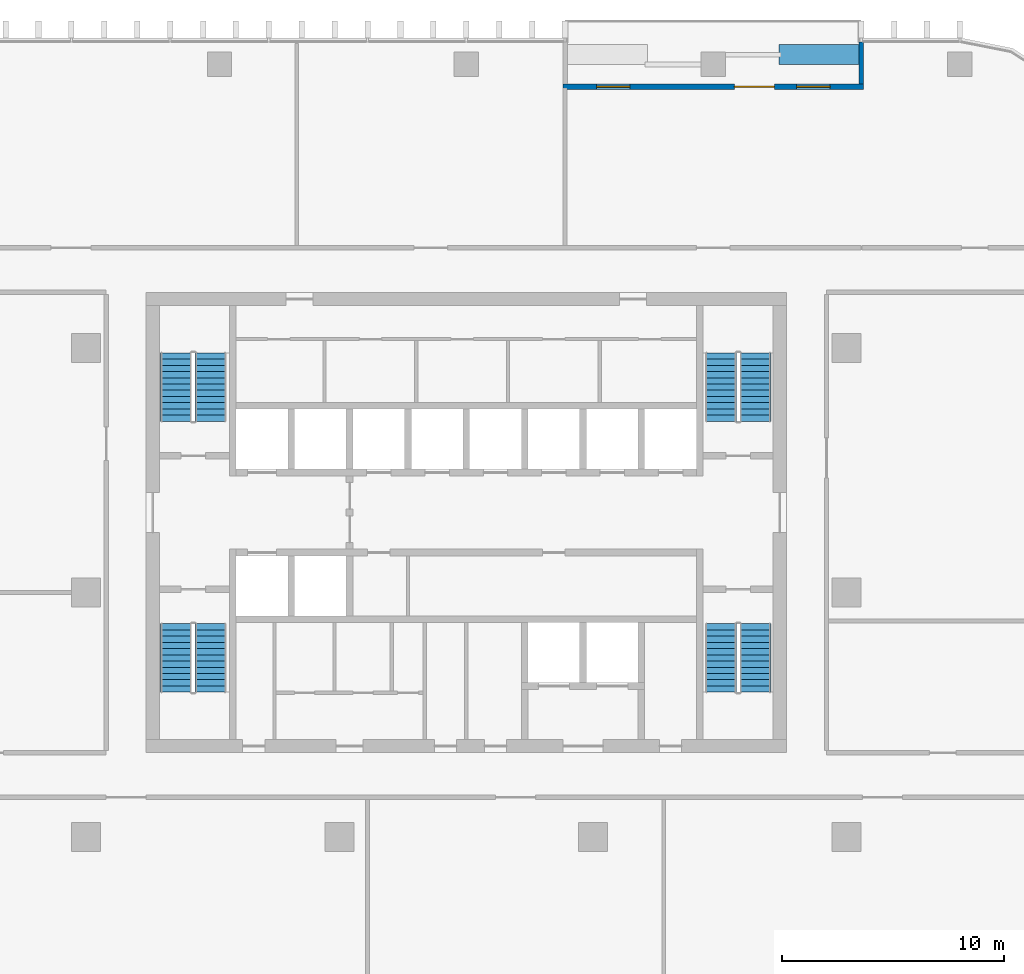
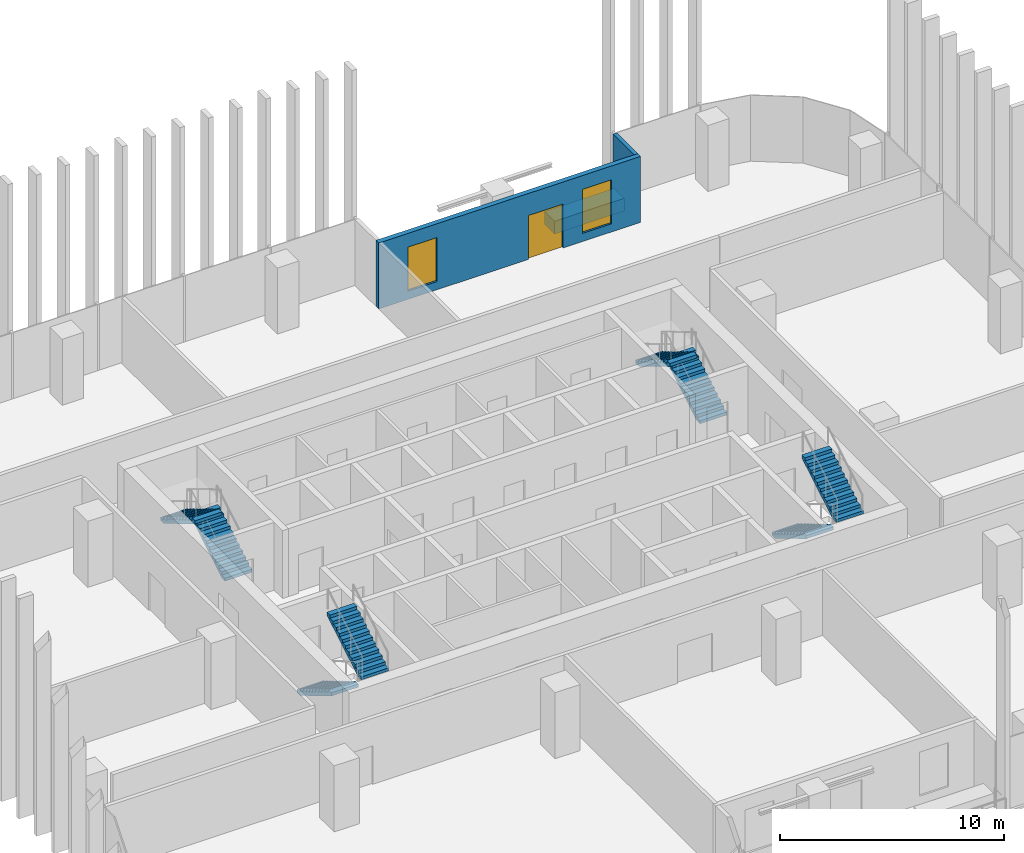
# One storey, part 10 of 16: 8 stair flights, 3 walls, 2 windows, 1 door, 3 openings, 4 elements without a shape of their own.
"""IFC4 building model written with IfcOpenShell, lengths in metres."""

from ifc_helpers import new_model, si_unit, direction, frame, frame_2d, origin, place, context, subcontext, project, spatial, polyline, rectangle, outline, extrude, material, layer, layer_set, type_object, element, fill, aggregate, save


model = new_model("IFC4")

# Units and contexts
model_context = context("Model", 3, precision=1e-05, world=origin(), true_north=direction((0.0, 1.0)))
body_context = subcontext(model_context, "Body", "Model", "MODEL_VIEW")
ifc_project = project(units=[si_unit("LENGTHUNIT", "METRE"), si_unit("AREAUNIT", "SQUARE_METRE"), si_unit("VOLUMEUNIT", "CUBIC_METRE"), si_unit("PLANEANGLEUNIT", "RADIAN"), si_unit("MASSUNIT", "GRAM", prefix="KILO")], contexts=[model_context])

# Site, building, storey
site_placement = place(None, origin())
site = spatial("IfcSite", under=ifc_project, at=site_placement, CompositionType="ELEMENT")
building_placement = place(site_placement, origin())
building = spatial("IfcBuilding", under=site, at=building_placement, Name="Mopane Tessera Tower", CompositionType="ELEMENT")
storey_placement = place(building_placement, frame((0.0, 0.0, 235.0)))
storey = spatial("IfcBuildingStorey", under=building, at=storey_placement, Name="L50", CompositionType="ELEMENT", Elevation=235.0)

# Walls
ifc_material_1 = material(Name="Reinforced concrete C32/40 with waterproofing", Category="concrete")
ifc_layer_1 = layer(ifc_material_1, 0.89990234375)
ifc_layer_set_1 = layer_set([ifc_layer_1], Name="Reinforced concrete C32/40 with waterproofing")
wall_type_1 = type_object("IfcWallType", Name="Planter trough 3600 x 900", PredefinedType="STANDARD", material=ifc_layer_set_1)
wall_1_placement = place(storey_placement, frame((17.659912109375, 24.199951171875, 0.0), z_axis=(0.0, 0.0, 1.0), x_axis=(-1.0, 0.0, 0.0)))
element("IfcWall", 1, at=wall_1_placement, inside=storey, type_object=wall_type_1, Name="e:nw:L50:N2:pl0", PredefinedType="STANDARD", context=body_context, shape_type="SweptSolid", body=[
    extrude(rectangle(XDim=3.599853515625, YDim=0.89990234375, at=frame_2d((1.7998046875, 0.0))), origin(), (0.0, 0.0, 1.0), 0.699951171875),
])
ifc_material_2 = material(Name="Blockwork with glazed tile facing", Category="masonry")
ifc_layer_2 = layer(ifc_material_2, 0.199951171875)
ifc_layer_set_2 = layer_set([ifc_layer_2], Name="Blockwork with glazed tile facing")
wall_type_2 = type_object("IfcWallType", Name="Terrace cheek wall 200", PredefinedType="STANDARD", material=ifc_layer_set_2)
wall_2_placement = place(storey_placement, frame((17.760009765625, 24.75, 0.0), z_axis=(0.0, 0.0, 1.0), x_axis=(0.0, -1.0, 0.0)))
element("IfcWall", 2, at=wall_2_placement, inside=storey, type_object=wall_type_2, Name="e:nw:L50:N2:cheeka", PredefinedType="STANDARD", context=body_context, shape_type="SweptSolid", body=[
    extrude(rectangle(XDim=1.875, YDim=0.199951171875, at=frame_2d((0.9375, 0.0))), origin(), (0.0, 0.0, 1.0), 3.60009765625),
])

# Wall, openings, windows, door
ifc_material_3 = material(Name="Blockwork with ochre glazed tile facing", Category="masonry")
ifc_layer_3 = layer(ifc_material_3, 0.25)
ifc_layer_set_3 = layer_set([ifc_layer_3], Name="Blockwork with ochre glazed tile facing")
wall_type_3 = type_object("IfcWallType", Name="Tile-clad external wall 250, ochre", PredefinedType="STANDARD", material=ifc_layer_set_3)
wall_3_placement = place(storey_placement, frame((17.860107421875, 22.75, 0.0), z_axis=(0.0, 0.0, 1.0), x_axis=(-1.0, 0.0, 0.0)))
wall_3 = element("IfcWall", 3, at=wall_3_placement, inside=storey, type_object=wall_type_3, Name="e:nw:L50:N2:back", PredefinedType="STANDARD", context=body_context, shape_type="SweptSolid", body=[
    extrude(rectangle(XDim=13.52001953125, YDim=0.25, at=frame_2d((6.760009765625, 0.0))), origin(), (0.0, 0.0, 1.0), 3.60009765625),
])
opening_1_placement = place(wall_3_placement, frame((1.5, 0.0, 0.449951171875)))
opening_1 = element("IfcOpeningElement", 4, at=opening_1_placement, cuts=wall_3, Name="Opening NW502A", PredefinedType="OPENING", context=body_context, shape_type="SweptSolid", body=[
    extrude(rectangle(XDim=1.5, YDim=2.39990234375, at=frame_2d((0.75, 1.199951171875))), frame((0.0, 0.136962890625, 0.0), z_axis=(0.0, -1.0, 0.0), x_axis=(1.0, 0.0, 0.0)), (0.0, 0.0, 1.0), 0.27392578125),
])
opening_2_placement = place(wall_3_placement, frame((4.0, 0.0, 0.0)))
opening_2 = element("IfcOpeningElement", 5, at=opening_2_placement, cuts=wall_3, Name="Opening ND502", PredefinedType="OPENING", context=body_context, shape_type="SweptSolid", body=[
    extrude(rectangle(XDim=1.800048828125, YDim=2.39990234375, at=frame_2d((0.89990234375, 1.199951171875))), frame((0.0, 0.136962890625, 0.0), z_axis=(0.0, -1.0, 0.0), x_axis=(1.0, 0.0, 0.0)), (0.0, 0.0, 1.0), 0.27392578125),
])
opening_3_placement = place(wall_3_placement, frame((10.5, 0.0, 0.449951171875)))
opening_3 = element("IfcOpeningElement", 6, at=opening_3_placement, cuts=wall_3, Name="Opening NW502B", PredefinedType="OPENING", context=body_context, shape_type="SweptSolid", body=[
    extrude(rectangle(XDim=1.5, YDim=2.39990234375, at=frame_2d((0.75, 1.199951171875))), frame((0.0, 0.136962890625, 0.0), z_axis=(0.0, -1.0, 0.0), x_axis=(1.0, 0.0, 0.0)), (0.0, 0.0, 1.0), 0.27392578125),
])
ifc_material_4 = material(Name="Clear laminated glass", Category="glass")
window_type = type_object("IfcWindowType", Name="Fixed window 1500 x 2400", PartitioningType="SINGLE_PANEL", PredefinedType="WINDOW", material=ifc_material_4)
window_1_placement = place(opening_1_placement, origin())
window_1 = element("IfcWindow", 7, at=window_1_placement, inside=storey, type_object=window_type, Name="e:nw:L50:N2:win0", OverallHeight=2.39990234375, OverallWidth=1.5, PartitioningType="SINGLE_PANEL", PredefinedType="WINDOW", context=body_context, shape_type="SweptSolid", body=[
    extrude(rectangle(XDim=1.5, YDim=2.39990234375, at=frame_2d((0.75, 1.199951171875))), frame((0.0, 0.030029296875, 0.0), z_axis=(0.0, -1.0, 0.0), x_axis=(1.0, 0.0, 0.0)), (0.0, 0.0, 1.0), 0.06005859375),
])
fill(opening_1, window_1)
window_2_placement = place(opening_3_placement, origin())
window_2 = element("IfcWindow", 8, at=window_2_placement, inside=storey, type_object=window_type, Name="e:nw:L50:N2:win2", OverallHeight=2.39990234375, OverallWidth=1.5, PartitioningType="SINGLE_PANEL", PredefinedType="WINDOW", context=body_context, shape_type="SweptSolid", body=[
    extrude(rectangle(XDim=1.5, YDim=2.39990234375, at=frame_2d((0.75, 1.199951171875))), frame((0.0, 0.030029296875, 0.0), z_axis=(0.0, -1.0, 0.0), x_axis=(1.0, 0.0, 0.0)), (0.0, 0.0, 1.0), 0.06005859375),
])
fill(opening_3, window_2)
ifc_material_5 = material(Name="Aluminium and clear glass", Category="aluminium")
door_type = type_object("IfcDoorType", Name="Terrace double door 1800 x 2400", OperationType="DOUBLE_DOOR_SINGLE_SWING", PredefinedType="DOOR", material=ifc_material_5)
door_placement = place(opening_2_placement, origin())
door = element("IfcDoor", 9, at=door_placement, inside=storey, type_object=door_type, Name="e:nw:L50:N2:door", ObjectType="D1", OperationType="DOUBLE_DOOR_SINGLE_SWING", OverallHeight=2.39990234375, OverallWidth=1.800048828125, PredefinedType="DOOR", context=body_context, shape_type="SweptSolid", body=[
    extrude(rectangle(XDim=1.800048828125, YDim=2.39990234375, at=frame_2d((0.89990234375, 1.199951171875))), frame((0.0, 0.02490234375, 0.0), z_axis=(0.0, -1.0, 0.0), x_axis=(1.0, 0.0, 0.0)), (0.0, 0.0, 1.0), 0.050048828125),
])
fill(opening_2, door)

# Stair, stair flights
ifc_material_6 = material(Name="Concrete C50/60", Category="concrete")
stair_type = type_object("IfcStairType", Name="Escape stair 1400 mm, riser 167 mm", PredefinedType="HALF_TURN_STAIR", material=ifc_material_6)
stair_1_placement = place(storey_placement, origin())
stair_1 = element("IfcStair", 10, at=stair_1_placement, inside=storey, type_object=stair_type, Name="L50 Escape stair south-west", PredefinedType="HALF_TURN_STAIR")
ifc_material_7 = material(Name="Concrete C50/60", Category="concrete")
stair_flight_type = type_object("IfcStairFlightType", Name="Escape stair flight 1400 mm", PredefinedType="STRAIGHT", material=ifc_material_7)
stair_flight_1_placement = place(storey_placement, frame((-13.050048828125, -1.39990234375, 0.0), z_axis=(0.0, 0.0, 1.0), x_axis=(0.0, -1.0, 0.0)))
stair_flight_1 = element("IfcStairFlight", 11, at=stair_flight_1_placement, type_object=stair_flight_type, Name="ST1 flight 1", NumberOfRisers=12, NumberOfTreads=11, PredefinedType="STRAIGHT", RiserHeight=0.166666667, TreadLength=0.28, context=body_context, shape_type="SweptSolid", body=[
    extrude(outline(polyline([(0.0, 0.0), (0.0, 0.166748046875), (0.280029296875, 0.166748046875), (0.280029296875, 0.333251953125), (0.56005859375, 0.333251953125), (0.56005859375, 0.5), (0.840087890625, 0.5), (0.840087890625, 0.666748046875), (1.1201171875, 0.666748046875), (1.1201171875, 0.833251953125), (1.39990234375, 0.833251953125), (1.39990234375, 1.0), (1.679931640625, 1.0), (1.679931640625, 1.166748046875), (1.9599609375, 1.166748046875), (1.9599609375, 1.333251953125), (2.239990234375, 1.333251953125), (2.239990234375, 1.5), (2.52001953125, 1.5), (2.52001953125, 1.666748046875), (2.800048828125, 1.666748046875), (2.800048828125, 1.833251953125), (3.080078125, 1.833251953125), (3.080078125, 2.0), (3.080078125, 1.658935546875), (0.29296875, 0.0), (0.0, 0.0)])), frame((0.0, 0.699951171875, 0.0), z_axis=(0.0, -1.0, 0.0), x_axis=(1.0, 0.0, 0.0)), (0.0, 0.0, 1.0), 1.39990234375),
])
stair_flight_2_placement = place(storey_placement, frame((-11.5, -4.47998046875, 2.0), z_axis=(0.0, 0.0, 1.0), x_axis=(0.0, 1.0, 0.0)))
stair_flight_2 = element("IfcStairFlight", 12, at=stair_flight_2_placement, type_object=stair_flight_type, Name="ST1 flight 2", NumberOfRisers=12, NumberOfTreads=11, PredefinedType="STRAIGHT", RiserHeight=0.166666667, TreadLength=0.28, context=body_context, shape_type="SweptSolid", body=[
    extrude(outline(polyline([(0.0, 0.0), (0.0, 0.166748046875), (0.280029296875, 0.166748046875), (0.280029296875, 0.333251953125), (0.56005859375, 0.333251953125), (0.56005859375, 0.5), (0.840087890625, 0.5), (0.840087890625, 0.666748046875), (1.1201171875, 0.666748046875), (1.1201171875, 0.833251953125), (1.39990234375, 0.833251953125), (1.39990234375, 1.0), (1.679931640625, 1.0), (1.679931640625, 1.166748046875), (1.9599609375, 1.166748046875), (1.9599609375, 1.333251953125), (2.239990234375, 1.333251953125), (2.239990234375, 1.5), (2.52001953125, 1.5), (2.52001953125, 1.666748046875), (2.800048828125, 1.666748046875), (2.800048828125, 1.833251953125), (3.080078125, 1.833251953125), (3.080078125, 2.0), (3.080078125, 1.658935546875), (0.29296875, 0.0), (0.0, 0.0)])), frame((0.0, 0.699951171875, 0.0), z_axis=(0.0, -1.0, 0.0), x_axis=(1.0, 0.0, 0.0)), (0.0, 0.0, 1.0), 1.39990234375),
])
aggregate(stair_1, [stair_flight_1, stair_flight_2])

stair_2_placement = place(storey_placement, origin())
stair_2 = element("IfcStair", 13, at=stair_2_placement, inside=storey, type_object=stair_type, Name="L50 Escape stair north-west", PredefinedType="HALF_TURN_STAIR")
stair_flight_3_placement = place(storey_placement, frame((-11.5, 7.699951171875, 0.0), z_axis=(0.0, 0.0, 1.0), x_axis=(0.0, 1.0, 0.0)))
stair_flight_3 = element("IfcStairFlight", 14, at=stair_flight_3_placement, type_object=stair_flight_type, Name="ST2 flight 1", NumberOfRisers=12, NumberOfTreads=11, PredefinedType="STRAIGHT", RiserHeight=0.166666667, TreadLength=0.28, context=body_context, shape_type="SweptSolid", body=[
    extrude(outline(polyline([(0.0, 0.0), (0.0, 0.166748046875), (0.280029296875, 0.166748046875), (0.280029296875, 0.333251953125), (0.56005859375, 0.333251953125), (0.56005859375, 0.5), (0.840087890625, 0.5), (0.840087890625, 0.666748046875), (1.1201171875, 0.666748046875), (1.1201171875, 0.833251953125), (1.39990234375, 0.833251953125), (1.39990234375, 1.0), (1.679931640625, 1.0), (1.679931640625, 1.166748046875), (1.9599609375, 1.166748046875), (1.9599609375, 1.333251953125), (2.239990234375, 1.333251953125), (2.239990234375, 1.5), (2.52001953125, 1.5), (2.52001953125, 1.666748046875), (2.800048828125, 1.666748046875), (2.800048828125, 1.833251953125), (3.080078125, 1.833251953125), (3.080078125, 2.0), (3.080078125, 1.658935546875), (0.29296875, 0.0), (0.0, 0.0)])), frame((0.0, 0.699951171875, 0.0), z_axis=(0.0, -1.0, 0.0), x_axis=(1.0, 0.0, 0.0)), (0.0, 0.0, 1.0), 1.39990234375),
])
stair_flight_4_placement = place(storey_placement, frame((-13.050048828125, 10.780029296875, 2.0), z_axis=(0.0, 0.0, 1.0), x_axis=(0.0, -1.0, 0.0)))
stair_flight_4 = element("IfcStairFlight", 15, at=stair_flight_4_placement, type_object=stair_flight_type, Name="ST2 flight 2", NumberOfRisers=12, NumberOfTreads=11, PredefinedType="STRAIGHT", RiserHeight=0.166666667, TreadLength=0.28, context=body_context, shape_type="SweptSolid", body=[
    extrude(outline(polyline([(0.0, 0.0), (0.0, 0.166748046875), (0.280029296875, 0.166748046875), (0.280029296875, 0.333251953125), (0.56005859375, 0.333251953125), (0.56005859375, 0.5), (0.840087890625, 0.5), (0.840087890625, 0.666748046875), (1.1201171875, 0.666748046875), (1.1201171875, 0.833251953125), (1.39990234375, 0.833251953125), (1.39990234375, 1.0), (1.679931640625, 1.0), (1.679931640625, 1.166748046875), (1.9599609375, 1.166748046875), (1.9599609375, 1.333251953125), (2.239990234375, 1.333251953125), (2.239990234375, 1.5), (2.52001953125, 1.5), (2.52001953125, 1.666748046875), (2.800048828125, 1.666748046875), (2.800048828125, 1.833251953125), (3.080078125, 1.833251953125), (3.080078125, 2.0), (3.080078125, 1.658935546875), (0.29296875, 0.0), (0.0, 0.0)])), frame((0.0, 0.699951171875, 0.0), z_axis=(0.0, -1.0, 0.0), x_axis=(1.0, 0.0, 0.0)), (0.0, 0.0, 1.0), 1.39990234375),
])
aggregate(stair_2, [stair_flight_3, stair_flight_4])

stair_3_placement = place(storey_placement, origin())
stair_3 = element("IfcStair", 16, at=stair_3_placement, inside=storey, type_object=stair_type, Name="L50 Escape stair south-east", PredefinedType="HALF_TURN_STAIR")
stair_flight_5_placement = place(storey_placement, frame((11.449951171875, -1.39990234375, 0.0), z_axis=(0.0, 0.0, 1.0), x_axis=(0.0, -1.0, 0.0)))
stair_flight_5 = element("IfcStairFlight", 17, at=stair_flight_5_placement, type_object=stair_flight_type, Name="ST3 flight 1", NumberOfRisers=12, NumberOfTreads=11, PredefinedType="STRAIGHT", RiserHeight=0.166666667, TreadLength=0.28, context=body_context, shape_type="SweptSolid", body=[
    extrude(outline(polyline([(0.0, 0.0), (0.0, 0.166748046875), (0.280029296875, 0.166748046875), (0.280029296875, 0.333251953125), (0.56005859375, 0.333251953125), (0.56005859375, 0.5), (0.840087890625, 0.5), (0.840087890625, 0.666748046875), (1.1201171875, 0.666748046875), (1.1201171875, 0.833251953125), (1.39990234375, 0.833251953125), (1.39990234375, 1.0), (1.679931640625, 1.0), (1.679931640625, 1.166748046875), (1.9599609375, 1.166748046875), (1.9599609375, 1.333251953125), (2.239990234375, 1.333251953125), (2.239990234375, 1.5), (2.52001953125, 1.5), (2.52001953125, 1.666748046875), (2.800048828125, 1.666748046875), (2.800048828125, 1.833251953125), (3.080078125, 1.833251953125), (3.080078125, 2.0), (3.080078125, 1.658935546875), (0.29296875, 0.0), (0.0, 0.0)])), frame((0.0, 0.699951171875, 0.0), z_axis=(0.0, -1.0, 0.0), x_axis=(1.0, 0.0, 0.0)), (0.0, 0.0, 1.0), 1.39990234375),
])
stair_flight_6_placement = place(storey_placement, frame((13.0, -4.47998046875, 2.0), z_axis=(0.0, 0.0, 1.0), x_axis=(0.0, 1.0, 0.0)))
stair_flight_6 = element("IfcStairFlight", 18, at=stair_flight_6_placement, type_object=stair_flight_type, Name="ST3 flight 2", NumberOfRisers=12, NumberOfTreads=11, PredefinedType="STRAIGHT", RiserHeight=0.166666667, TreadLength=0.28, context=body_context, shape_type="SweptSolid", body=[
    extrude(outline(polyline([(0.0, 0.0), (0.0, 0.166748046875), (0.280029296875, 0.166748046875), (0.280029296875, 0.333251953125), (0.56005859375, 0.333251953125), (0.56005859375, 0.5), (0.840087890625, 0.5), (0.840087890625, 0.666748046875), (1.1201171875, 0.666748046875), (1.1201171875, 0.833251953125), (1.39990234375, 0.833251953125), (1.39990234375, 1.0), (1.679931640625, 1.0), (1.679931640625, 1.166748046875), (1.9599609375, 1.166748046875), (1.9599609375, 1.333251953125), (2.239990234375, 1.333251953125), (2.239990234375, 1.5), (2.52001953125, 1.5), (2.52001953125, 1.666748046875), (2.800048828125, 1.666748046875), (2.800048828125, 1.833251953125), (3.080078125, 1.833251953125), (3.080078125, 2.0), (3.080078125, 1.658935546875), (0.29296875, 0.0), (0.0, 0.0)])), frame((0.0, 0.699951171875, 0.0), z_axis=(0.0, -1.0, 0.0), x_axis=(1.0, 0.0, 0.0)), (0.0, 0.0, 1.0), 1.39990234375),
])
aggregate(stair_3, [stair_flight_5, stair_flight_6])

stair_4_placement = place(storey_placement, origin())
stair_4 = element("IfcStair", 19, at=stair_4_placement, inside=storey, type_object=stair_type, Name="L50 Escape stair north-east", PredefinedType="HALF_TURN_STAIR")
stair_flight_7_placement = place(storey_placement, frame((13.0, 7.699951171875, 0.0), z_axis=(0.0, 0.0, 1.0), x_axis=(0.0, 1.0, 0.0)))
stair_flight_7 = element("IfcStairFlight", 20, at=stair_flight_7_placement, type_object=stair_flight_type, Name="ST4 flight 1", NumberOfRisers=12, NumberOfTreads=11, PredefinedType="STRAIGHT", RiserHeight=0.166666667, TreadLength=0.28, context=body_context, shape_type="SweptSolid", body=[
    extrude(outline(polyline([(0.0, 0.0), (0.0, 0.166748046875), (0.280029296875, 0.166748046875), (0.280029296875, 0.333251953125), (0.56005859375, 0.333251953125), (0.56005859375, 0.5), (0.840087890625, 0.5), (0.840087890625, 0.666748046875), (1.1201171875, 0.666748046875), (1.1201171875, 0.833251953125), (1.39990234375, 0.833251953125), (1.39990234375, 1.0), (1.679931640625, 1.0), (1.679931640625, 1.166748046875), (1.9599609375, 1.166748046875), (1.9599609375, 1.333251953125), (2.239990234375, 1.333251953125), (2.239990234375, 1.5), (2.52001953125, 1.5), (2.52001953125, 1.666748046875), (2.800048828125, 1.666748046875), (2.800048828125, 1.833251953125), (3.080078125, 1.833251953125), (3.080078125, 2.0), (3.080078125, 1.658935546875), (0.29296875, 0.0), (0.0, 0.0)])), frame((0.0, 0.699951171875, 0.0), z_axis=(0.0, -1.0, 0.0), x_axis=(1.0, 0.0, 0.0)), (0.0, 0.0, 1.0), 1.39990234375),
])
stair_flight_8_placement = place(storey_placement, frame((11.449951171875, 10.780029296875, 2.0), z_axis=(0.0, 0.0, 1.0), x_axis=(0.0, -1.0, 0.0)))
stair_flight_8 = element("IfcStairFlight", 21, at=stair_flight_8_placement, type_object=stair_flight_type, Name="ST4 flight 2", NumberOfRisers=12, NumberOfTreads=11, PredefinedType="STRAIGHT", RiserHeight=0.166666667, TreadLength=0.28, context=body_context, shape_type="SweptSolid", body=[
    extrude(outline(polyline([(0.0, 0.0), (0.0, 0.166748046875), (0.280029296875, 0.166748046875), (0.280029296875, 0.333251953125), (0.56005859375, 0.333251953125), (0.56005859375, 0.5), (0.840087890625, 0.5), (0.840087890625, 0.666748046875), (1.1201171875, 0.666748046875), (1.1201171875, 0.833251953125), (1.39990234375, 0.833251953125), (1.39990234375, 1.0), (1.679931640625, 1.0), (1.679931640625, 1.166748046875), (1.9599609375, 1.166748046875), (1.9599609375, 1.333251953125), (2.239990234375, 1.333251953125), (2.239990234375, 1.5), (2.52001953125, 1.5), (2.52001953125, 1.666748046875), (2.800048828125, 1.666748046875), (2.800048828125, 1.833251953125), (3.080078125, 1.833251953125), (3.080078125, 2.0), (3.080078125, 1.658935546875), (0.29296875, 0.0), (0.0, 0.0)])), frame((0.0, 0.699951171875, 0.0), z_axis=(0.0, -1.0, 0.0), x_axis=(1.0, 0.0, 0.0)), (0.0, 0.0, 1.0), 1.39990234375),
])
aggregate(stair_4, [stair_flight_7, stair_flight_8])

save(model, "model.ifc")
